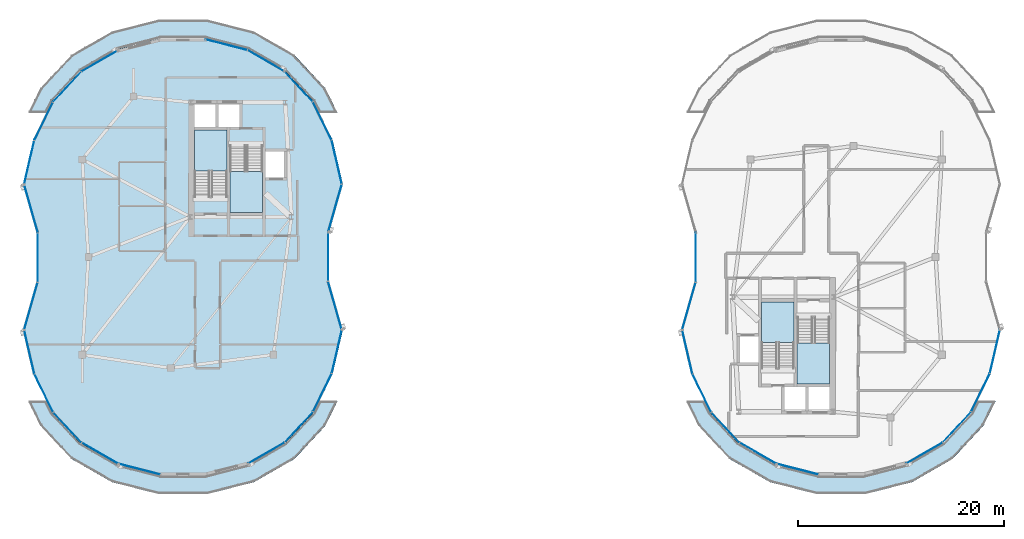
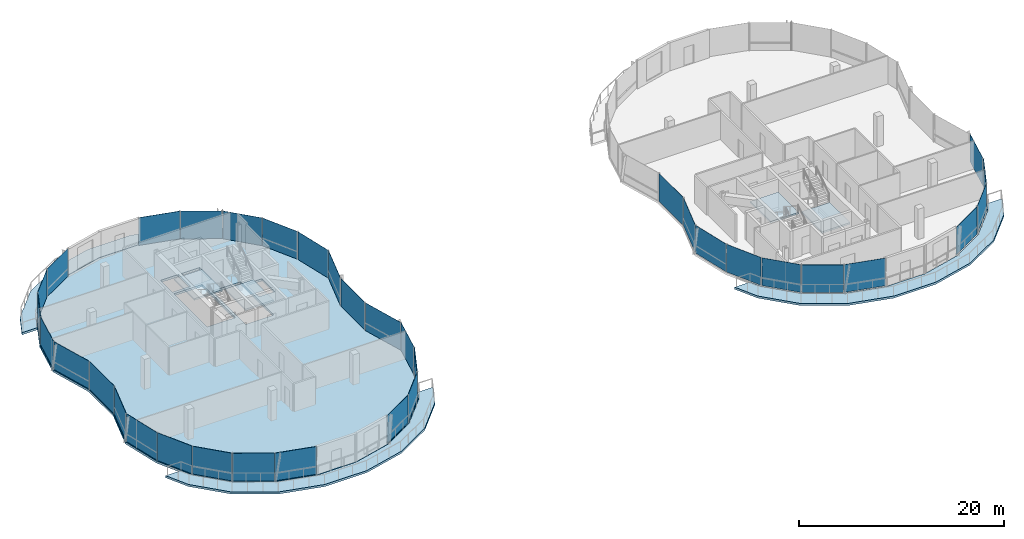
# One storey, part 10 of 20: 35 plates, 8 slabs, 11 elements without a shape of their own.
"""IFC4 building model written with IfcOpenShell, lengths in metres."""

from ifc_helpers import new_model, si_unit, direction, frame, origin, origin_2d, place, context, subcontext, project, spatial, polyline, rectangle, outline, extrude, material, layer, layer_set, type_object, element, aggregate, save


model = new_model("IFC4")

# Units and contexts
model_context = context("Model", 3, precision=1e-05, world=origin(), true_north=direction((0.0, 1.0)))
body_context = subcontext(model_context, "Body", "Model", "MODEL_VIEW")
ifc_project = project(units=[si_unit("LENGTHUNIT", "METRE"), si_unit("AREAUNIT", "SQUARE_METRE"), si_unit("VOLUMEUNIT", "CUBIC_METRE"), si_unit("PLANEANGLEUNIT", "RADIAN"), si_unit("MASSUNIT", "GRAM", prefix="KILO"), si_unit("THERMODYNAMICTEMPERATUREUNIT", "KELVIN"), si_unit("POWERUNIT", "WATT")], contexts=[model_context])

# Site, building, storey
site_placement = place(None, origin())
site = spatial("IfcSite", under=ifc_project, at=site_placement, CompositionType="ELEMENT")
building_placement = place(site_placement, origin())
building = spatial("IfcBuilding", under=site, at=building_placement, Name="Cundina Bronze Exchange", CompositionType="ELEMENT")
storey_placement = place(building_placement, frame((0.0, 0.0, 279.199951171875)))
storey = spatial("IfcBuildingStorey", under=building, at=storey_placement, Name="L74", CompositionType="ELEMENT", Elevation=279.199951171875)

# Curtain wall, plates
ifc_material_1 = material(Name="Anodised Bronze Aluminium 6063-T6", Category="aluminium")
curtain_wall_type = type_object("IfcCurtainWallType", Name="CWS-CRN-TMD", PredefinedType="NOTDEFINED", material=ifc_material_1)
curtain_wall_1_placement = place(storey_placement, origin())
curtain_wall_1 = element("IfcCurtainWall", 1, at=curtain_wall_1_placement, inside=storey, type_object=curtain_wall_type, Name="L74 CW-07 Curtain Wall Run CWR-L74-W1", PredefinedType="NOTDEFINED")
ifc_material_2 = material(Name="Clear Low-E Insulating Glass 26mm", Category="glass")
ifc_layer_1 = layer(ifc_material_2, 0.02587890625, Name="Clear Low-E Insulating Glass 26mm", Category="glass")
ifc_layer_set_1 = layer_set([ifc_layer_1], Name="Clear Low-E Insulating Glass 26mm")
plate_type_1 = type_object("IfcPlateType", Name="PLT-GLZ-CLR26", PredefinedType="CURTAIN_PANEL", material=ifc_layer_set_1)
plate_1_placement = place(storey_placement, frame((-17.04248046875, 9.2041015625, 0.02001953125), z_axis=(0.0, 0.0, 1.0), x_axis=(-0.225240145856, 0.974303277576, 0.0)))
plate_1 = element("IfcPlate", 2, at=plate_1_placement, type_object=plate_type_1, Name="CW-07 Glazed Panel 2", PredefinedType="CURTAIN_PANEL", context=body_context, shape_type="SweptSolid", body=[
    extrude(rectangle(XDim=4.3408203125, YDim=0.02587890625, at=origin_2d()), origin(), (0.0, 0.0, 1.0), 3.300048828125),
])
plate_2_placement = place(storey_placement, frame((-18.44970703125, 13.214599609375, 0.02001953125), z_axis=(0.0, 0.0, 1.0), x_axis=(-0.439233725031, 0.898372826167, 0.0)))
plate_2 = element("IfcPlate", 3, at=plate_2_placement, type_object=plate_type_1, Name="CW-07 Glazed Panel 3", PredefinedType="CURTAIN_PANEL", context=body_context, shape_type="SweptSolid", body=[
    extrude(rectangle(XDim=4.080810546875, YDim=0.02587890625, at=origin_2d()), origin(), (0.0, 0.0, 1.0), 3.300048828125),
])
plate_3_placement = place(storey_placement, frame((-20.73681640625, 16.557861328125, 0.02001953125), z_axis=(0.0, 0.0, 1.0), x_axis=(-0.680503489145, 0.732744840488, 0.0)))
plate_3 = element("IfcPlate", 4, at=plate_3_placement, type_object=plate_type_1, Name="CW-07 Glazed Panel 4", PredefinedType="CURTAIN_PANEL", context=body_context, shape_type="SweptSolid", body=[
    extrude(rectangle(XDim=3.98779296875, YDim=0.02587890625, at=origin_2d()), origin(), (0.0, 0.0, 1.0), 3.300048828125),
])
plate_4_placement = place(storey_placement, frame((-23.90478515625, 19.072998046875, 0.02001953125), z_axis=(0.0, 0.0, 1.0), x_axis=(-0.866452692699, 0.499259182503, 0.0)))
plate_4 = element("IfcPlate", 5, at=plate_4_placement, type_object=plate_type_1, Name="CW-07 Glazed Panel 5", PredefinedType="CURTAIN_PANEL", context=body_context, shape_type="SweptSolid", body=[
    extrude(rectangle(XDim=4.07421875, YDim=0.02587890625, at=origin_2d()), origin(), (0.0, 0.0, 1.0), 3.300048828125),
])

curtain_wall_2_placement = place(storey_placement, origin())
curtain_wall_2 = element("IfcCurtainWall", 6, at=curtain_wall_2_placement, inside=storey, type_object=curtain_wall_type, Name="L74 CW-07 Curtain Wall Run CWR-L74-W2", PredefinedType="NOTDEFINED")
plate_5_placement = place(storey_placement, frame((-40.09521484375, 19.072998046875, 0.02001953125), z_axis=(0.0, 0.0, 1.0), x_axis=(-0.866452692699, -0.499259182503, 0.0)))
plate_5 = element("IfcPlate", 7, at=plate_5_placement, type_object=plate_type_1, Name="CW-07 Glazed Panel 1", PredefinedType="CURTAIN_PANEL", context=body_context, shape_type="SweptSolid", body=[
    extrude(rectangle(XDim=4.07421875, YDim=0.02587890625, at=origin_2d()), origin(), (0.0, 0.0, 1.0), 3.300048828125),
])
plate_6_placement = place(storey_placement, frame((-43.26318359375, 16.557861328125, 0.02001953125), z_axis=(0.0, 0.0, 1.0), x_axis=(-0.680503489145, -0.732744840488, 0.0)))
plate_6 = element("IfcPlate", 8, at=plate_6_placement, type_object=plate_type_1, Name="CW-07 Glazed Panel 2", PredefinedType="CURTAIN_PANEL", context=body_context, shape_type="SweptSolid", body=[
    extrude(rectangle(XDim=3.98779296875, YDim=0.02587890625, at=origin_2d()), origin(), (0.0, 0.0, 1.0), 3.300048828125),
])
plate_7_placement = place(storey_placement, frame((-45.55029296875, 13.214599609375, 0.02001953125), z_axis=(0.0, 0.0, 1.0), x_axis=(-0.439233725031, -0.898372826167, 0.0)))
plate_7 = element("IfcPlate", 9, at=plate_7_placement, type_object=plate_type_1, Name="CW-07 Glazed Panel 3", PredefinedType="CURTAIN_PANEL", context=body_context, shape_type="SweptSolid", body=[
    extrude(rectangle(XDim=4.080810546875, YDim=0.02587890625, at=origin_2d()), origin(), (0.0, 0.0, 1.0), 3.300048828125),
])
plate_8_placement = place(storey_placement, frame((-46.95751953125, 9.2041015625, 0.02001953125), z_axis=(0.0, 0.0, 1.0), x_axis=(-0.225240145856, -0.974303277576, 0.0)))
plate_8 = element("IfcPlate", 10, at=plate_8_placement, type_object=plate_type_1, Name="CW-07 Glazed Panel 4", PredefinedType="CURTAIN_PANEL", context=body_context, shape_type="SweptSolid", body=[
    extrude(rectangle(XDim=4.3408203125, YDim=0.02587890625, at=origin_2d()), origin(), (0.0, 0.0, 1.0), 3.300048828125),
])
plate_9_placement = place(storey_placement, frame((-46.1201171875, 0.0, 0.02001953125), z_axis=(0.0, 0.0, 1.0), x_axis=(0.0, -1.0, 0.0)))
plate_9 = element("IfcPlate", 11, at=plate_9_placement, type_object=plate_type_1, Name="CW-07 Glazed Panel 6", PredefinedType="CURTAIN_PANEL", context=body_context, shape_type="SweptSolid", body=[
    extrude(rectangle(XDim=4.701904296875, YDim=0.02587890625, at=origin_2d()), origin(), (0.0, 0.0, 1.0), 3.300048828125),
])
plate_10_placement = place(storey_placement, frame((-46.790771484375, -4.759521484375, 0.02001953125), z_axis=(0.0, 0.0, 1.0), x_axis=(-0.274563444462, -0.961568986067, 0.0)))
plate_10 = element("IfcPlate", 12, at=plate_10_placement, type_object=plate_type_1, Name="CW-07 Glazed Panel 7", PredefinedType="CURTAIN_PANEL", context=body_context, shape_type="SweptSolid", body=[
    extrude(rectangle(XDim=4.768798828125, YDim=0.02587890625, at=origin_2d()), origin(), (0.0, 0.0, 1.0), 3.300048828125),
])

curtain_wall_3_placement = place(storey_placement, origin())
curtain_wall_3 = element("IfcCurtainWall", 13, at=curtain_wall_3_placement, inside=storey, type_object=curtain_wall_type, Name="L74 CW-07 Curtain Wall Run CWR-L74-W3", PredefinedType="NOTDEFINED")
plate_11_placement = place(storey_placement, frame((-46.95751953125, -9.2041015625, 0.02001953125), z_axis=(0.0, 0.0, 1.0), x_axis=(0.225240145856, -0.974303277576, 0.0)))
plate_11 = element("IfcPlate", 14, at=plate_11_placement, type_object=plate_type_1, Name="CW-07 Glazed Panel 1", PredefinedType="CURTAIN_PANEL", context=body_context, shape_type="SweptSolid", body=[
    extrude(rectangle(XDim=4.3408203125, YDim=0.02587890625, at=origin_2d()), origin(), (0.0, 0.0, 1.0), 3.300048828125),
])
plate_12_placement = place(storey_placement, frame((-45.55029296875, -13.214599609375, 0.02001953125), z_axis=(0.0, 0.0, 1.0), x_axis=(0.439233725031, -0.898372826167, 0.0)))
plate_12 = element("IfcPlate", 15, at=plate_12_placement, type_object=plate_type_1, Name="CW-07 Glazed Panel 2", PredefinedType="CURTAIN_PANEL", context=body_context, shape_type="SweptSolid", body=[
    extrude(rectangle(XDim=4.080810546875, YDim=0.02587890625, at=origin_2d()), origin(), (0.0, 0.0, 1.0), 3.300048828125),
])
plate_13_placement = place(storey_placement, frame((-43.26318359375, -16.557861328125, 0.02001953125), z_axis=(0.0, 0.0, 1.0), x_axis=(0.680503489145, -0.732744840488, 0.0)))
plate_13 = element("IfcPlate", 16, at=plate_13_placement, type_object=plate_type_1, Name="CW-07 Glazed Panel 3", PredefinedType="CURTAIN_PANEL", context=body_context, shape_type="SweptSolid", body=[
    extrude(rectangle(XDim=3.98779296875, YDim=0.02587890625, at=origin_2d()), origin(), (0.0, 0.0, 1.0), 3.300048828125),
])
plate_14_placement = place(storey_placement, frame((-36.234619140625, -20.635009765625, 0.02001953125), z_axis=(0.0, 0.0, 1.0), x_axis=(0.968743556079, -0.24806435164, 0.0)))
plate_14 = element("IfcPlate", 17, at=plate_14_placement, type_object=plate_type_1, Name="CW-07 Glazed Panel 5", PredefinedType="CURTAIN_PANEL", context=body_context, shape_type="SweptSolid", body=[
    extrude(rectangle(XDim=4.207275390625, YDim=0.02587890625, at=origin_2d()), origin(), (0.0, 0.0, 1.0), 3.300048828125),
])

curtain_wall_4_placement = place(storey_placement, origin())
curtain_wall_4 = element("IfcCurtainWall", 18, at=curtain_wall_4_placement, inside=storey, type_object=curtain_wall_type, Name="L74 CW-07 Curtain Wall Run CWR-L74-W4", PredefinedType="NOTDEFINED")
plate_15_placement = place(storey_placement, frame((-23.90478515625, -19.072998046875, 0.02001953125), z_axis=(0.0, 0.0, 1.0), x_axis=(0.866452692699, 0.499259182503, 0.0)))
plate_15 = element("IfcPlate", 19, at=plate_15_placement, type_object=plate_type_1, Name="CW-07 Glazed Panel 1", PredefinedType="CURTAIN_PANEL", context=body_context, shape_type="SweptSolid", body=[
    extrude(rectangle(XDim=4.07421875, YDim=0.02587890625, at=origin_2d()), origin(), (0.0, 0.0, 1.0), 3.300048828125),
])
plate_16_placement = place(storey_placement, frame((-20.73681640625, -16.557861328125, 0.02001953125), z_axis=(0.0, 0.0, 1.0), x_axis=(0.680503489145, 0.732744840488, 0.0)))
plate_16 = element("IfcPlate", 20, at=plate_16_placement, type_object=plate_type_1, Name="CW-07 Glazed Panel 2", PredefinedType="CURTAIN_PANEL", context=body_context, shape_type="SweptSolid", body=[
    extrude(rectangle(XDim=3.98779296875, YDim=0.02587890625, at=origin_2d()), origin(), (0.0, 0.0, 1.0), 3.300048828125),
])
plate_17_placement = place(storey_placement, frame((-17.04248046875, -9.2041015625, 0.02001953125), z_axis=(0.0, 0.0, 1.0), x_axis=(0.225240145856, 0.974303277576, 0.0)))
plate_17 = element("IfcPlate", 21, at=plate_17_placement, type_object=plate_type_1, Name="CW-07 Glazed Panel 4", PredefinedType="CURTAIN_PANEL", context=body_context, shape_type="SweptSolid", body=[
    extrude(rectangle(XDim=4.3408203125, YDim=0.02587890625, at=origin_2d()), origin(), (0.0, 0.0, 1.0), 3.300048828125),
])
plate_18_placement = place(storey_placement, frame((-17.209228515625, -4.759521484375, 0.02001953125), z_axis=(0.0, 0.0, 1.0), x_axis=(-0.274563444462, 0.961568986067, 0.0)))
plate_18 = element("IfcPlate", 22, at=plate_18_placement, type_object=plate_type_1, Name="CW-07 Glazed Panel 5", PredefinedType="CURTAIN_PANEL", context=body_context, shape_type="SweptSolid", body=[
    extrude(rectangle(XDim=4.768798828125, YDim=0.02587890625, at=origin_2d()), origin(), (0.0, 0.0, 1.0), 3.300048828125),
])
plate_19_placement = place(storey_placement, frame((-17.8798828125, 0.0, 0.02001953125), z_axis=(0.0, 0.0, 1.0), x_axis=(0.0, 1.0, 0.0)))
plate_19 = element("IfcPlate", 23, at=plate_19_placement, type_object=plate_type_1, Name="CW-07 Glazed Panel 6", PredefinedType="CURTAIN_PANEL", context=body_context, shape_type="SweptSolid", body=[
    extrude(rectangle(XDim=4.701904296875, YDim=0.02587890625, at=origin_2d()), origin(), (0.0, 0.0, 1.0), 3.300048828125),
])

curtain_wall_5_placement = place(storey_placement, origin())
curtain_wall_5 = element("IfcCurtainWall", 24, at=curtain_wall_5_placement, inside=storey, type_object=curtain_wall_type, Name="L74 CW-07 Curtain Wall Run CWR-L74-E2", PredefinedType="NOTDEFINED")
plate_20_placement = place(storey_placement, frame((17.8798828125, 0.0, 0.02001953125), z_axis=(0.0, 0.0, 1.0), x_axis=(0.0, -1.0, 0.0)))
plate_20 = element("IfcPlate", 25, at=plate_20_placement, type_object=plate_type_1, Name="CW-07 Glazed Panel 6", PredefinedType="CURTAIN_PANEL", context=body_context, shape_type="SweptSolid", body=[
    extrude(rectangle(XDim=4.701904296875, YDim=0.02587890625, at=origin_2d()), origin(), (0.0, 0.0, 1.0), 3.300048828125),
])
plate_21_placement = place(storey_placement, frame((17.209228515625, -4.759521484375, 0.02001953125), z_axis=(0.0, 0.0, 1.0), x_axis=(-0.274563444462, -0.961568986067, 0.0)))
plate_21 = element("IfcPlate", 26, at=plate_21_placement, type_object=plate_type_1, Name="CW-07 Glazed Panel 7", PredefinedType="CURTAIN_PANEL", context=body_context, shape_type="SweptSolid", body=[
    extrude(rectangle(XDim=4.768798828125, YDim=0.02587890625, at=origin_2d()), origin(), (0.0, 0.0, 1.0), 3.300048828125),
])
aggregate(curtain_wall_5, [plate_20, plate_21])

curtain_wall_6_placement = place(storey_placement, origin())
curtain_wall_6 = element("IfcCurtainWall", 27, at=curtain_wall_6_placement, inside=storey, type_object=curtain_wall_type, Name="L74 CW-07 Curtain Wall Run CWR-L74-E3", PredefinedType="NOTDEFINED")
plate_22_placement = place(storey_placement, frame((17.04248046875, -9.2041015625, 0.02001953125), z_axis=(0.0, 0.0, 1.0), x_axis=(0.225240145856, -0.974303277576, 0.0)))
plate_22 = element("IfcPlate", 28, at=plate_22_placement, type_object=plate_type_1, Name="CW-07 Glazed Panel 1", PredefinedType="CURTAIN_PANEL", context=body_context, shape_type="SweptSolid", body=[
    extrude(rectangle(XDim=4.3408203125, YDim=0.02587890625, at=origin_2d()), origin(), (0.0, 0.0, 1.0), 3.300048828125),
])
plate_23_placement = place(storey_placement, frame((18.44970703125, -13.214599609375, 0.02001953125), z_axis=(0.0, 0.0, 1.0), x_axis=(0.439233725031, -0.898372826167, 0.0)))
plate_23 = element("IfcPlate", 29, at=plate_23_placement, type_object=plate_type_1, Name="CW-07 Glazed Panel 2", PredefinedType="CURTAIN_PANEL", context=body_context, shape_type="SweptSolid", body=[
    extrude(rectangle(XDim=4.080810546875, YDim=0.02587890625, at=origin_2d()), origin(), (0.0, 0.0, 1.0), 3.300048828125),
])
plate_24_placement = place(storey_placement, frame((20.73681640625, -16.557861328125, 0.02001953125), z_axis=(0.0, 0.0, 1.0), x_axis=(0.680503489145, -0.732744840488, 0.0)))
plate_24 = element("IfcPlate", 30, at=plate_24_placement, type_object=plate_type_1, Name="CW-07 Glazed Panel 3", PredefinedType="CURTAIN_PANEL", context=body_context, shape_type="SweptSolid", body=[
    extrude(rectangle(XDim=3.98779296875, YDim=0.02587890625, at=origin_2d()), origin(), (0.0, 0.0, 1.0), 3.300048828125),
])
plate_25_placement = place(storey_placement, frame((27.765380859375, -20.635009765625, 0.02001953125), z_axis=(0.0, 0.0, 1.0), x_axis=(0.968743556079, -0.24806435164, 0.0)))
plate_25 = element("IfcPlate", 31, at=plate_25_placement, type_object=plate_type_1, Name="CW-07 Glazed Panel 5", PredefinedType="CURTAIN_PANEL", context=body_context, shape_type="SweptSolid", body=[
    extrude(rectangle(XDim=4.207275390625, YDim=0.02587890625, at=origin_2d()), origin(), (0.0, 0.0, 1.0), 3.300048828125),
])

curtain_wall_7_placement = place(storey_placement, origin())
curtain_wall_7 = element("IfcCurtainWall", 32, at=curtain_wall_7_placement, inside=storey, type_object=curtain_wall_type, Name="L74 CW-07 Curtain Wall Run CWR-L74-E4", PredefinedType="NOTDEFINED")
plate_26_placement = place(storey_placement, frame((40.09521484375, -19.072998046875, 0.02001953125), z_axis=(0.0, 0.0, 1.0), x_axis=(0.866452692699, 0.499259182503, 0.0)))
plate_26 = element("IfcPlate", 33, at=plate_26_placement, type_object=plate_type_1, Name="CW-07 Glazed Panel 1", PredefinedType="CURTAIN_PANEL", context=body_context, shape_type="SweptSolid", body=[
    extrude(rectangle(XDim=4.07421875, YDim=0.02587890625, at=origin_2d()), origin(), (0.0, 0.0, 1.0), 3.300048828125),
])
plate_27_placement = place(storey_placement, frame((43.26318359375, -16.557861328125, 0.02001953125), z_axis=(0.0, 0.0, 1.0), x_axis=(0.680503489145, 0.732744840488, 0.0)))
plate_27 = element("IfcPlate", 34, at=plate_27_placement, type_object=plate_type_1, Name="CW-07 Glazed Panel 2", PredefinedType="CURTAIN_PANEL", context=body_context, shape_type="SweptSolid", body=[
    extrude(rectangle(XDim=3.98779296875, YDim=0.02587890625, at=origin_2d()), origin(), (0.0, 0.0, 1.0), 3.300048828125),
])
plate_28_placement = place(storey_placement, frame((46.95751953125, -9.2041015625, 0.02001953125), z_axis=(0.0, 0.0, 1.0), x_axis=(0.225240145856, 0.974303277576, 0.0)))
plate_28 = element("IfcPlate", 35, at=plate_28_placement, type_object=plate_type_1, Name="CW-07 Glazed Panel 4", PredefinedType="CURTAIN_PANEL", context=body_context, shape_type="SweptSolid", body=[
    extrude(rectangle(XDim=4.3408203125, YDim=0.02587890625, at=origin_2d()), origin(), (0.0, 0.0, 1.0), 3.300048828125),
])

# Plate
ifc_material_3 = material(Name="Dark Bronze Spandrel Glass Panel 32mm", Category="glass")
ifc_layer_2 = layer(ifc_material_3, 0.031982421875, Name="Dark Bronze Spandrel Glass Panel 32mm", Category="glass")
ifc_layer_set_2 = layer_set([ifc_layer_2], Name="Dark Bronze Spandrel Glass Panel 32mm")
plate_type_2 = type_object("IfcPlateType", Name="PLT-SPN-BRZ32", PredefinedType="CURTAIN_PANEL", material=ifc_layer_set_2)
plate_29_placement = place(storey_placement, frame((-17.209228515625, 4.759521484375, 0.02001953125), z_axis=(0.0, 0.0, 1.0), x_axis=(0.274563444462, 0.961568986067, 0.0)))
plate_29 = element("IfcPlate", 36, at=plate_29_placement, type_object=plate_type_2, Name="CW-07 Glazed Panel 1", PredefinedType="CURTAIN_PANEL", context=body_context, shape_type="SweptSolid", body=[
    extrude(rectangle(XDim=4.768798828125, YDim=0.031982421875, at=origin_2d()), origin(), (0.0, 0.0, 1.0), 3.300048828125),
])

plate_30_placement = place(storey_placement, frame((-27.765380859375, 20.635009765625, 0.02001953125), z_axis=(0.0, 0.0, 1.0), x_axis=(-0.968743556079, 0.24806435164, 0.0)))
plate_30 = element("IfcPlate", 37, at=plate_30_placement, type_object=plate_type_2, Name="CW-07 Glazed Panel 6", PredefinedType="CURTAIN_PANEL", context=body_context, shape_type="SweptSolid", body=[
    extrude(rectangle(XDim=4.207275390625, YDim=0.031982421875, at=origin_2d()), origin(), (0.0, 0.0, 1.0), 3.300048828125),
])

aggregate(curtain_wall_1, [plate_29, plate_1, plate_2, plate_3, plate_4, plate_30])

plate_31_placement = place(storey_placement, frame((-46.790771484375, 4.759521484375, 0.02001953125), z_axis=(0.0, 0.0, 1.0), x_axis=(0.274563444462, -0.961568986067, 0.0)))
plate_31 = element("IfcPlate", 38, at=plate_31_placement, type_object=plate_type_2, Name="CW-07 Glazed Panel 5", PredefinedType="CURTAIN_PANEL", context=body_context, shape_type="SweptSolid", body=[
    extrude(rectangle(XDim=4.768798828125, YDim=0.031982421875, at=origin_2d()), origin(), (0.0, 0.0, 1.0), 3.300048828125),
])

aggregate(curtain_wall_2, [plate_5, plate_6, plate_7, plate_8, plate_31, plate_9, plate_10])

plate_32_placement = place(storey_placement, frame((-40.09521484375, -19.072998046875, 0.02001953125), z_axis=(0.0, 0.0, 1.0), x_axis=(0.866452692699, -0.499259182503, 0.0)))
plate_32 = element("IfcPlate", 39, at=plate_32_placement, type_object=plate_type_2, Name="CW-07 Glazed Panel 4", PredefinedType="CURTAIN_PANEL", context=body_context, shape_type="SweptSolid", body=[
    extrude(rectangle(XDim=4.07421875, YDim=0.031982421875, at=origin_2d()), origin(), (0.0, 0.0, 1.0), 3.300048828125),
])

aggregate(curtain_wall_3, [plate_11, plate_12, plate_13, plate_32, plate_14])

plate_33_placement = place(storey_placement, frame((-18.44970703125, -13.214599609375, 0.02001953125), z_axis=(0.0, 0.0, 1.0), x_axis=(0.439233725031, 0.898372826167, 0.0)))
plate_33 = element("IfcPlate", 40, at=plate_33_placement, type_object=plate_type_2, Name="CW-07 Glazed Panel 3", PredefinedType="CURTAIN_PANEL", context=body_context, shape_type="SweptSolid", body=[
    extrude(rectangle(XDim=4.080810546875, YDim=0.031982421875, at=origin_2d()), origin(), (0.0, 0.0, 1.0), 3.300048828125),
])

aggregate(curtain_wall_4, [plate_15, plate_16, plate_33, plate_17, plate_18, plate_19])

plate_34_placement = place(storey_placement, frame((23.90478515625, -19.072998046875, 0.02001953125), z_axis=(0.0, 0.0, 1.0), x_axis=(0.866452692699, -0.499259182503, 0.0)))
plate_34 = element("IfcPlate", 41, at=plate_34_placement, type_object=plate_type_2, Name="CW-07 Glazed Panel 4", PredefinedType="CURTAIN_PANEL", context=body_context, shape_type="SweptSolid", body=[
    extrude(rectangle(XDim=4.07421875, YDim=0.031982421875, at=origin_2d()), origin(), (0.0, 0.0, 1.0), 3.300048828125),
])

aggregate(curtain_wall_6, [plate_22, plate_23, plate_24, plate_34, plate_25])

plate_35_placement = place(storey_placement, frame((45.55029296875, -13.214599609375, 0.02001953125), z_axis=(0.0, 0.0, 1.0), x_axis=(0.439233725031, 0.898372826167, 0.0)))
plate_35 = element("IfcPlate", 42, at=plate_35_placement, type_object=plate_type_2, Name="CW-07 Glazed Panel 3", PredefinedType="CURTAIN_PANEL", context=body_context, shape_type="SweptSolid", body=[
    extrude(rectangle(XDim=4.080810546875, YDim=0.031982421875, at=origin_2d()), origin(), (0.0, 0.0, 1.0), 3.300048828125),
])

aggregate(curtain_wall_7, [plate_26, plate_27, plate_35, plate_28])

# Stair, slab
ifc_material_4 = material(Name="Concrete C40/50", Category="concrete")
stair_type = type_object("IfcStairType", Name="STR-OFF-360", PredefinedType="HALF_TURN_STAIR", material=ifc_material_4)
stair_1_placement = place(storey_placement, origin())
stair_1 = element("IfcStair", 43, at=stair_1_placement, inside=storey, type_object=stair_type, Name="L74 Smokeproof Exit Stair W1", PredefinedType="HALF_TURN_STAIR")
ifc_layer_3 = layer(ifc_material_4, 0.199951171875, Name="Concrete C40/50", Category="concrete")
ifc_layer_set_3 = layer_set([ifc_layer_3], Name="Concrete C40/50")
slab_type_1 = type_object("IfcSlabType", Name="SLB-LND-200", PredefinedType="LANDING", material=ifc_layer_set_3)
slab_1_placement = place(storey_placement, frame((0.0, 0.0, 1.60009765625)))
slab_1 = element("IfcSlab", 44, at=slab_1_placement, type_object=slab_type_1, Name="ST-W1 landing 1", PredefinedType="LANDING", context=body_context, shape_type="SweptSolid", body=[
    extrude(outline(polyline([(-27.739990234375, 8.3701171875), (-27.739990234375, 12.35009765625), (-30.89990234375, 12.35009765625), (-30.89990234375, 8.3701171875), (-27.739990234375, 8.3701171875)])), origin(), (0.0, 0.0, 1.0), 0.199951171875),
])
aggregate(stair_1, [slab_1])

stair_2_placement = place(storey_placement, origin())
stair_2 = element("IfcStair", 45, at=stair_2_placement, inside=storey, type_object=stair_type, Name="L74 Smokeproof Exit Stair W2", PredefinedType="HALF_TURN_STAIR")
slab_2_placement = place(storey_placement, frame((0.0, 0.0, 1.60009765625)))
slab_2 = element("IfcSlab", 46, at=slab_2_placement, type_object=slab_type_1, Name="ST-W2 landing 1", PredefinedType="LANDING", context=body_context, shape_type="SweptSolid", body=[
    extrude(outline(polyline([(-27.43994140625, 8.330078125), (-27.43994140625, 4.35009765625), (-24.280029296875, 4.35009765625), (-24.280029296875, 8.330078125), (-27.43994140625, 8.330078125)])), origin(), (0.0, 0.0, 1.0), 0.199951171875),
])
aggregate(stair_2, [slab_2])

stair_3_placement = place(storey_placement, origin())
stair_3 = element("IfcStair", 47, at=stair_3_placement, inside=storey, type_object=stair_type, Name="L74 Smokeproof Exit Stair E1", PredefinedType="HALF_TURN_STAIR")
slab_3_placement = place(storey_placement, frame((0.0, 0.0, 1.60009765625)))
slab_3 = element("IfcSlab", 48, at=slab_3_placement, type_object=slab_type_1, Name="ST-E1 landing 1", PredefinedType="LANDING", context=body_context, shape_type="SweptSolid", body=[
    extrude(outline(polyline([(27.739990234375, -8.3701171875), (27.739990234375, -12.35009765625), (30.89990234375, -12.35009765625), (30.89990234375, -8.3701171875), (27.739990234375, -8.3701171875)])), origin(), (0.0, 0.0, 1.0), 0.199951171875),
])
aggregate(stair_3, [slab_3])

stair_4_placement = place(storey_placement, origin())
stair_4 = element("IfcStair", 49, at=stair_4_placement, inside=storey, type_object=stair_type, Name="L74 Smokeproof Exit Stair E2", PredefinedType="HALF_TURN_STAIR")
slab_4_placement = place(storey_placement, frame((0.0, 0.0, 1.60009765625)))
slab_4 = element("IfcSlab", 50, at=slab_4_placement, type_object=slab_type_1, Name="ST-E2 landing 1", PredefinedType="LANDING", context=body_context, shape_type="SweptSolid", body=[
    extrude(outline(polyline([(27.43994140625, -8.330078125), (27.43994140625, -4.35009765625), (24.280029296875, -4.35009765625), (24.280029296875, -8.330078125), (27.43994140625, -8.330078125)])), origin(), (0.0, 0.0, 1.0), 0.199951171875),
])
aggregate(stair_4, [slab_4])

# Slabs
ifc_material_5 = material(Name="Concrete C50/60", Category="concrete")
ifc_layer_4 = layer(ifc_material_5, 0.260009765625, Name="Concrete C50/60", Category="concrete")
ifc_layer_set_4 = layer_set([ifc_layer_4], Name="Concrete C50/60")
slab_type_2 = type_object("IfcSlabType", Name="SLB-OFF-260", PredefinedType="FLOOR", material=ifc_layer_set_4)
slab_5_placement = place(storey_placement, frame((0.0, 0.0, -0.260009765625)))
element("IfcSlab", 51, at=slab_5_placement, inside=storey, type_object=slab_type_2, Name="L74 Leg W Structural Floor Slab", PredefinedType="FLOOR", context=body_context, shape_type="SweptSolid", body=[
    extrude(outline(polyline([(-17.780029296875, 2.39599609375), (-16.446044921875, 7.068115234375), (-17.444091796875, 11.385009765625), (-19.27587890625, 15.132080078125), (-22.051025390625, 18.1201171875), (-25.658935546875, 20.198974609375), (-29.822021484375, 21.264892578125), (-34.177978515625, 21.264892578125), (-38.341064453125, 20.198974609375), (-41.948974609375, 18.1201171875), (-44.72412109375, 15.132080078125), (-46.555908203125, 11.385009765625), (-47.553955078125, 7.068115234375), (-46.219970703125, 2.39599609375), (-46.219970703125, -2.39599609375), (-47.553955078125, -7.068115234375), (-46.555908203125, -11.385009765625), (-44.72412109375, -15.132080078125), (-41.948974609375, -18.1201171875), (-38.341064453125, -20.198974609375), (-34.177978515625, -21.264892578125), (-29.822021484375, -21.264892578125), (-25.658935546875, -20.198974609375), (-22.051025390625, -18.1201171875), (-19.27587890625, -15.132080078125), (-17.444091796875, -11.385009765625), (-16.446044921875, -7.068115234375), (-17.780029296875, -2.39599609375), (-17.780029296875, 2.39599609375)]), holes=[polyline([(-27.739990234375, 5.85009765625), (-27.739990234375, 12.35009765625), (-30.89990234375, 12.35009765625), (-30.89990234375, 5.85009765625), (-27.739990234375, 5.85009765625)]), polyline([(-27.43994140625, 10.85009765625), (-27.43994140625, 4.35009765625), (-24.280029296875, 4.35009765625), (-24.280029296875, 10.85009765625), (-27.43994140625, 10.85009765625)]), polyline([(-23.97998046875, 10.25), (-22.179931640625, 10.25), (-22.179931640625, 7.75), (-23.97998046875, 7.75), (-23.97998046875, 10.25)]), polyline([(-30.89990234375, 14.949951171875), (-28.85009765625, 14.949951171875), (-28.85009765625, 12.64990234375), (-30.89990234375, 12.64990234375), (-30.89990234375, 14.949951171875)]), polyline([(-28.550048828125, 14.949951171875), (-26.5, 14.949951171875), (-26.5, 12.64990234375), (-28.550048828125, 12.64990234375), (-28.550048828125, 14.949951171875)])]), origin(), (0.0, 0.0, 1.0), 0.260009765625),
])
ifc_layer_5 = layer(ifc_material_4, 0.25, Name="Concrete C40/50", Category="concrete")
ifc_layer_set_5 = layer_set([ifc_layer_5], Name="Concrete C40/50")
slab_type_3 = type_object("IfcSlabType", Name="SLB-TER-250", PredefinedType="FLOOR", material=ifc_layer_set_5)
slab_6_placement = place(storey_placement, frame((0.0, 0.0, -0.25)))
element("IfcSlab", 52, at=slab_6_placement, inside=storey, type_object=slab_type_3, Name="L74 Leg W N Planted Crown Terrace Slab", PredefinedType="FLOOR", context=body_context, shape_type="SweptSolid", body=[
    extrude(outline(polyline([(-45.85888671875, 16.405029296875), (-42.843017578125, 19.64404296875), (-38.9130859375, 21.89794921875), (-34.3740234375, 23.053955078125), (-29.6259765625, 23.053955078125), (-25.0869140625, 21.89794921875), (-21.156982421875, 19.64404296875), (-18.14111328125, 16.405029296875), (-16.964599609375, 14.0), (-18.705810546875, 14.0), (-19.262451171875, 15.138671875), (-19.26318359375, 15.139892578125), (-19.26416015625, 15.14111328125), (-19.264892578125, 15.14208984375), (-22.0400390625, 18.130126953125), (-22.041015625, 18.13134765625), (-22.042236328125, 18.132080078125), (-22.04345703125, 18.133056640625), (-25.651611328125, 20.2119140625), (-25.652587890625, 20.212646484375), (-25.654052734375, 20.213134765625), (-25.6552734375, 20.21337890625), (-29.818359375, 21.279541015625), (-29.819580078125, 21.27978515625), (-29.82080078125, 21.27978515625), (-29.822021484375, 21.280029296875), (-34.177978515625, 21.280029296875), (-34.17919921875, 21.27978515625), (-34.180419921875, 21.27978515625), (-34.181640625, 21.279541015625), (-38.3447265625, 20.21337890625), (-38.345947265625, 20.213134765625), (-38.347412109375, 20.212646484375), (-38.348388671875, 20.2119140625), (-41.95654296875, 18.133056640625), (-41.957763671875, 18.132080078125), (-41.958984375, 18.13134765625), (-41.9599609375, 18.130126953125), (-44.735107421875, 15.14208984375), (-44.73583984375, 15.14111328125), (-44.73681640625, 15.139892578125), (-44.737548828125, 15.138671875), (-45.294189453125, 14.0), (-47.035400390625, 14.0), (-45.85888671875, 16.405029296875)])), origin(), (0.0, 0.0, 1.0), 0.25),
])
slab_7_placement = place(storey_placement, frame((0.0, 0.0, -0.25)))
element("IfcSlab", 53, at=slab_7_placement, inside=storey, type_object=slab_type_3, Name="L74 Leg W S Planted Crown Terrace Slab", PredefinedType="FLOOR", context=body_context, shape_type="SweptSolid", body=[
    extrude(outline(polyline([(-18.14111328125, -16.405029296875), (-21.156982421875, -19.64404296875), (-25.0869140625, -21.89794921875), (-29.6259765625, -23.053955078125), (-34.3740234375, -23.053955078125), (-38.9130859375, -21.89794921875), (-42.843017578125, -19.64404296875), (-45.85888671875, -16.405029296875), (-47.035400390625, -14.0), (-45.294189453125, -14.0), (-44.737548828125, -15.138671875), (-44.73681640625, -15.139892578125), (-44.73583984375, -15.14111328125), (-44.735107421875, -15.14208984375), (-41.9599609375, -18.130126953125), (-41.958984375, -18.13134765625), (-41.957763671875, -18.132080078125), (-41.95654296875, -18.133056640625), (-38.348388671875, -20.2119140625), (-38.347412109375, -20.212646484375), (-38.345947265625, -20.213134765625), (-38.3447265625, -20.21337890625), (-34.181640625, -21.279541015625), (-34.180419921875, -21.27978515625), (-34.17919921875, -21.27978515625), (-34.177978515625, -21.280029296875), (-29.822021484375, -21.280029296875), (-29.82080078125, -21.27978515625), (-29.819580078125, -21.27978515625), (-29.818359375, -21.279541015625), (-25.6552734375, -20.21337890625), (-25.654052734375, -20.213134765625), (-25.652587890625, -20.212646484375), (-25.651611328125, -20.2119140625), (-22.04345703125, -18.133056640625), (-22.042236328125, -18.132080078125), (-22.041015625, -18.13134765625), (-22.0400390625, -18.130126953125), (-19.264892578125, -15.14208984375), (-19.26416015625, -15.14111328125), (-19.26318359375, -15.139892578125), (-19.262451171875, -15.138671875), (-18.705810546875, -14.0), (-16.964599609375, -14.0), (-18.14111328125, -16.405029296875)])), origin(), (0.0, 0.0, 1.0), 0.25),
])
slab_8_placement = place(storey_placement, frame((0.0, 0.0, -0.25)))
element("IfcSlab", 54, at=slab_8_placement, inside=storey, type_object=slab_type_3, Name="L74 Leg E S Planted Crown Terrace Slab", PredefinedType="FLOOR", context=body_context, shape_type="SweptSolid", body=[
    extrude(outline(polyline([(45.85888671875, -16.405029296875), (42.843017578125, -19.64404296875), (38.9130859375, -21.89794921875), (34.3740234375, -23.053955078125), (29.6259765625, -23.053955078125), (25.0869140625, -21.89794921875), (21.156982421875, -19.64404296875), (18.14111328125, -16.405029296875), (16.964599609375, -14.0), (18.705810546875, -14.0), (19.262451171875, -15.138671875), (19.26318359375, -15.139892578125), (19.26416015625, -15.14111328125), (19.264892578125, -15.14208984375), (22.0400390625, -18.130126953125), (22.041015625, -18.13134765625), (22.042236328125, -18.132080078125), (22.04345703125, -18.133056640625), (25.651611328125, -20.2119140625), (25.652587890625, -20.212646484375), (25.654052734375, -20.213134765625), (25.6552734375, -20.21337890625), (29.818359375, -21.279541015625), (29.819580078125, -21.27978515625), (29.82080078125, -21.27978515625), (29.822021484375, -21.280029296875), (34.177978515625, -21.280029296875), (34.17919921875, -21.27978515625), (34.180419921875, -21.27978515625), (34.181640625, -21.279541015625), (38.3447265625, -20.21337890625), (38.345947265625, -20.213134765625), (38.347412109375, -20.212646484375), (38.348388671875, -20.2119140625), (41.95654296875, -18.133056640625), (41.957763671875, -18.132080078125), (41.958984375, -18.13134765625), (41.9599609375, -18.130126953125), (44.735107421875, -15.14208984375), (44.73583984375, -15.14111328125), (44.73681640625, -15.139892578125), (44.737548828125, -15.138671875), (45.294189453125, -14.0), (47.035400390625, -14.0), (45.85888671875, -16.405029296875)])), origin(), (0.0, 0.0, 1.0), 0.25),
])

save(model, "model.ifc")
